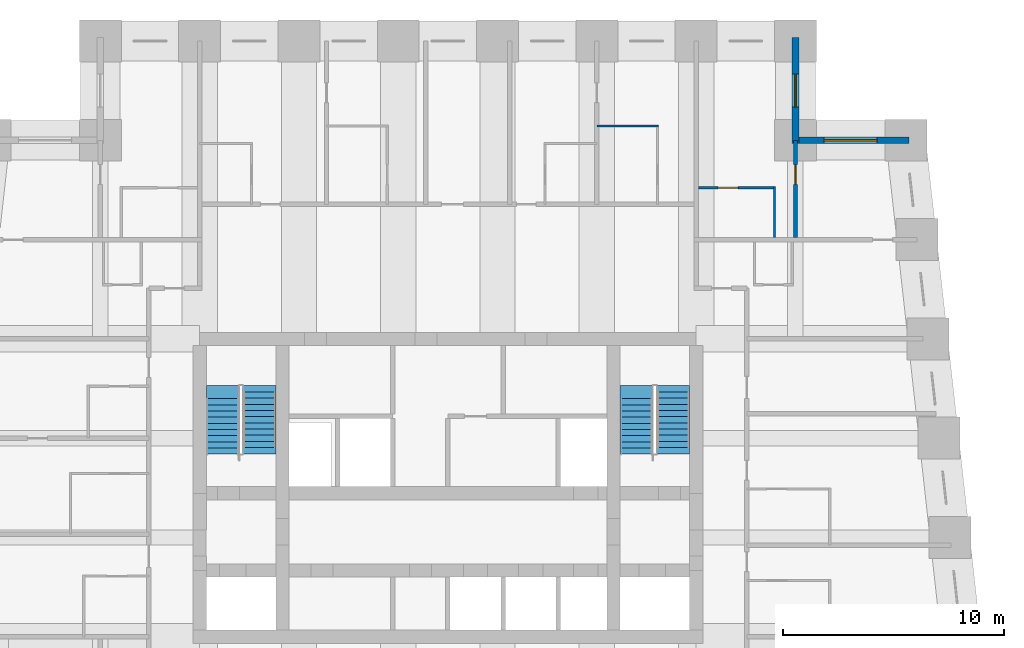
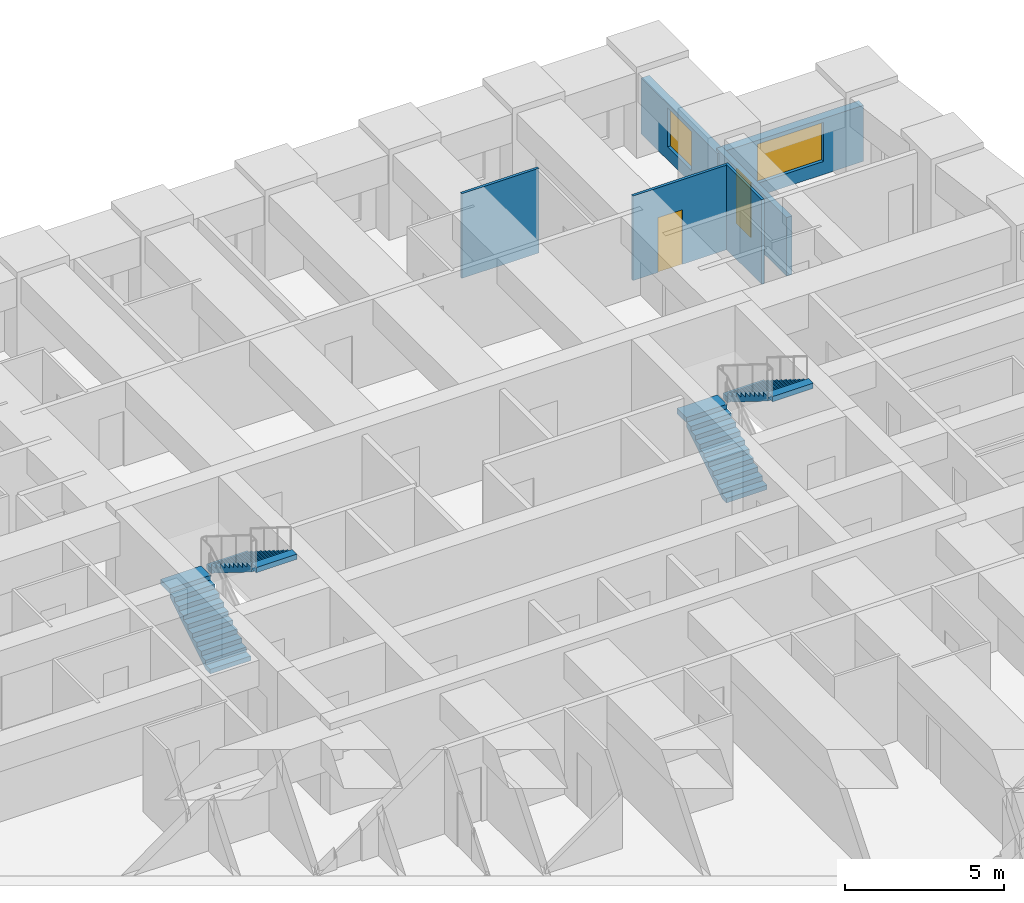
# One storey, part 7 of 8: 6 walls, 4 stair flights, 2 doors, 2 windows, 4 openings, 2 elements without a shape of their own.
"""IFC4 building model written with IfcOpenShell, lengths in metres."""

from ifc_helpers import new_model, si_unit, direction, frame, frame_2d, origin, place, context, subcontext, project, spatial, polyline, rectangle, outline, extrude, material, layer, layer_set, type_object, element, fill, aggregate, save


model = new_model("IFC4")

# Units and contexts
model_context = context("Model", 3, precision=1e-05, world=origin(), true_north=direction((0.0, 1.0)))
body_context = subcontext(model_context, "Body", "Model", "MODEL_VIEW")
ifc_project = project(units=[si_unit("LENGTHUNIT", "METRE"), si_unit("AREAUNIT", "SQUARE_METRE"), si_unit("VOLUMEUNIT", "CUBIC_METRE"), si_unit("PLANEANGLEUNIT", "RADIAN"), si_unit("MASSUNIT", "GRAM", prefix="KILO")], contexts=[model_context])

# Site, building, storey
site_placement = place(None, origin())
site = spatial("IfcSite", under=ifc_project, at=site_placement, CompositionType="ELEMENT")
building_placement = place(site_placement, origin())
building = spatial("IfcBuilding", under=site, at=building_placement, Name="Kilele Tower Hotel", CompositionType="ELEMENT")
storey_placement = place(building_placement, frame((0.0, 0.0, 114.39990234375)))
storey = spatial("IfcBuildingStorey", under=building, at=storey_placement, Name="L29", CompositionType="ELEMENT", Elevation=114.39990234375)

# Walls
ifc_material_1 = material(Name="Moisture-resistant board")
ifc_layer_1 = layer(ifc_material_1, 0.10009765625)
ifc_layer_set_1 = layer_set([ifc_layer_1], Name="Moisture-resistant board")
wall_type_1 = type_object("IfcWallType", Name="Bathroom partition 100", PredefinedType="PLUMBINGWALL", material=ifc_layer_set_1)
wall_1_placement = place(storey_placement, frame((31.5, 36.64990234375, 0.0), z_axis=(0.0, 0.0, 1.0), x_axis=(1.0, 0.0, 0.0)))
element("IfcWall", 1, at=wall_1_placement, inside=storey, type_object=wall_type_1, Name="Bathroom partition 100 L29", PredefinedType="PLUMBINGWALL", context=body_context, shape_type="SweptSolid", body=[
    extrude(rectangle(XDim=2.800048828125, YDim=0.10009765625, at=frame_2d((1.39990234375, 0.0))), origin(), (0.0, 0.0, 1.0), 3.25),
])
wall_2_placement = place(storey_placement, frame((39.550048828125, 31.60009765625, 0.0), z_axis=(0.0, 0.0, 1.0), x_axis=(0.0, 1.0, 0.0)))
element("IfcWall", 2, at=wall_2_placement, inside=storey, type_object=wall_type_1, Name="Bathroom partition 100 L29", PredefinedType="PLUMBINGWALL", context=body_context, shape_type="SweptSolid", body=[
    extrude(rectangle(XDim=2.2998046875, YDim=0.10009765625, at=frame_2d((1.14990234375, 0.0))), origin(), (0.0, 0.0, 1.0), 3.25),
])

# Wall, opening, door
wall_3_placement = place(storey_placement, frame((36.10009765625, 33.85009765625, 0.0), z_axis=(0.0, 0.0, 1.0), x_axis=(1.0, 0.0, 0.0)))
wall_3 = element("IfcWall", 3, at=wall_3_placement, inside=storey, type_object=wall_type_1, Name="Bathroom partition 100 L29", PredefinedType="PLUMBINGWALL", context=body_context, shape_type="SweptSolid", body=[
    extrude(rectangle(XDim=3.5, YDim=0.10009765625, at=frame_2d((1.75, 0.0))), origin(), (0.0, 0.0, 1.0), 3.25),
])
opening_1_placement = place(wall_3_placement, frame((0.89990234375, 0.0, 0.0)))
opening_1 = element("IfcOpeningElement", 4, at=opening_1_placement, cuts=wall_3, Name="Opening D2A", PredefinedType="OPENING", context=body_context, shape_type="SweptSolid", body=[
    extrude(rectangle(XDim=0.89990234375, YDim=2.10009765625, at=frame_2d((0.449951171875, 1.050048828125))), frame((0.0, 0.06005859375, 0.0), z_axis=(0.0, -1.0, 0.0), x_axis=(1.0, 0.0, 0.0)), (0.0, 0.0, 1.0), 0.1201171875),
])
ifc_material_2 = material(Name="Timber door leaf in hardwood frame", Category="wood")
door_type_1 = type_object("IfcDoorType", Name="Bathroom door 900", OperationType="SINGLE_SWING_LEFT", PredefinedType="DOOR", material=ifc_material_2)
door_1_placement = place(opening_1_placement, origin())
door_1 = element("IfcDoor", 5, at=door_1_placement, inside=storey, type_object=door_type_1, Name="Bathroom door 2924B", OperationType="SINGLE_SWING_LEFT", OverallHeight=2.10009765625, OverallWidth=0.89990234375, PredefinedType="DOOR", context=body_context, shape_type="SweptSolid", body=[
    extrude(rectangle(XDim=0.89990234375, YDim=2.10009765625, at=frame_2d((0.449951171875, 1.050048828125))), frame((0.0, 0.02490234375, 0.0), z_axis=(0.0, -1.0, 0.0), x_axis=(1.0, 0.0, 0.0)), (0.0, 0.0, 1.0), 0.050048828125),
])
fill(opening_1, door_1)

ifc_material_3 = material(Name="Blockwork, plastered both sides", Category="masonry")
ifc_layer_2 = layer(ifc_material_3, 0.199951171875)
ifc_layer_set_2 = layer_set([ifc_layer_2], Name="Blockwork, plastered both sides")
wall_type_2 = type_object("IfcWallType", Name="Partition wall 200", PredefinedType="PARTITIONING", material=ifc_layer_set_2)
wall_4_placement = place(storey_placement, frame((40.5, 31.60009765625, 0.0), z_axis=(0.0, 0.0, 1.0), x_axis=(0.0, 1.0, 0.0)))
wall_4 = element("IfcWall", 6, at=wall_4_placement, inside=storey, type_object=wall_type_2, Name="Partition wall 200 L29", PredefinedType="PARTITIONING", context=body_context, shape_type="SweptSolid", body=[
    extrude(rectangle(XDim=4.39990234375, YDim=0.199951171875, at=frame_2d((2.199951171875, 0.0))), origin(), (0.0, 0.0, 1.0), 2.25),
])
opening_2_placement = place(wall_4_placement, frame((2.39990234375, 0.0, 0.0)))
opening_2 = element("IfcOpeningElement", 7, at=opening_2_placement, cuts=wall_4, Name="Opening D3", PredefinedType="OPENING", context=body_context, shape_type="SweptSolid", body=[
    extrude(rectangle(XDim=0.89990234375, YDim=2.10009765625, at=frame_2d((0.449951171875, 1.050048828125))), frame((0.0, 0.10986328125, 0.0), z_axis=(0.0, -1.0, 0.0), x_axis=(1.0, 0.0, 0.0)), (0.0, 0.0, 1.0), 0.219970703125),
])
ifc_material_4 = material(Name="Timber door leaf in hardwood frame", Category="wood")
door_type_2 = type_object("IfcDoorType", Name="Suite internal door 900", OperationType="SINGLE_SWING_LEFT", PredefinedType="DOOR", material=ifc_material_4)
door_2_placement = place(opening_2_placement, origin())
door_2 = element("IfcDoor", 8, at=door_2_placement, inside=storey, type_object=door_type_2, Name="Suite door 2925", OperationType="SINGLE_SWING_LEFT", OverallHeight=2.10009765625, OverallWidth=0.89990234375, PredefinedType="DOOR", context=body_context, shape_type="SweptSolid", body=[
    extrude(rectangle(XDim=0.89990234375, YDim=2.10009765625, at=frame_2d((0.449951171875, 1.050048828125))), frame((0.0, 0.02490234375, 0.0), z_axis=(0.0, -1.0, 0.0), x_axis=(1.0, 0.0, 0.0)), (0.0, 0.0, 1.0), 0.050048828125),
])
fill(opening_2, door_2)

# Wall, opening, window
ifc_material_5 = material(Name="Concrete C40/50 precast", Category="concrete")
ifc_layer_3 = layer(ifc_material_5, 0.260009765625, Name="Precast backing", Category="LoadBearing")
ifc_material_6 = material(Name="Reconstituted stone finish", Category="masonry")
ifc_layer_4 = layer(ifc_material_6, 0.0400390625, Name="Face mix", Category="Finish")
ifc_layer_set_3 = layer_set([ifc_layer_3, ifc_layer_4], Name="Precast concrete C40/50, reconstituted stone finish")
wall_type_3 = type_object("IfcWallType", Name="Precast stone facade wall 300", PredefinedType="STANDARD", material=ifc_layer_set_3)
wall_5_placement = place(storey_placement, frame((45.64990234375, 36.0, 0.0), z_axis=(0.0, 0.0, 1.0), x_axis=(-1.0, 0.0, 0.0)))
wall_5 = element("IfcWall", 9, at=wall_5_placement, inside=storey, type_object=wall_type_3, Name="Facade wall L29 edge 7", PredefinedType="STANDARD", context=body_context, shape_type="SweptSolid", body=[
    extrude(rectangle(XDim=5.2998046875, YDim=0.300048828125, at=frame_2d((2.64990234375, 0.0))), origin(), (0.0, 0.0, 1.0), 2.150146484375),
])
opening_3_placement = place(wall_5_placement, frame((1.449951171875, 0.0, 0.5)))
opening_3 = element("IfcOpeningElement", 10, at=opening_3_placement, cuts=wall_5, Name="Opening W2", PredefinedType="OPENING", context=body_context, shape_type="SweptSolid", body=[
    extrude(rectangle(XDim=2.39990234375, YDim=1.5, at=frame_2d((1.199951171875, 0.75))), frame((0.0, 0.159912109375, 0.0), z_axis=(0.0, -1.0, 0.0), x_axis=(1.0, 0.0, 0.0)), (0.0, 0.0, 1.0), 0.320068359375),
])
ifc_material_7 = material(Name="Aluminium frame, clear double glazing", Category="aluminium")
window_type_1 = type_object("IfcWindowType", Name="Window W2 2400 x 1500", PartitioningType="SINGLE_PANEL", PredefinedType="WINDOW", material=ifc_material_7)
window_1_placement = place(opening_3_placement, origin())
window_1 = element("IfcWindow", 11, at=window_1_placement, inside=storey, type_object=window_type_1, Name="Window L29", OverallHeight=1.5, OverallWidth=2.39990234375, PartitioningType="SINGLE_PANEL", PredefinedType="WINDOW", context=body_context, shape_type="SweptSolid", body=[
    extrude(rectangle(XDim=2.39990234375, YDim=1.5, at=frame_2d((1.199951171875, 0.75))), frame((0.0, 0.030029296875, 0.0), z_axis=(0.0, -1.0, 0.0), x_axis=(1.0, 0.0, 0.0)), (0.0, 0.0, 1.0), 0.06005859375),
])
fill(opening_3, window_1)

wall_6_placement = place(storey_placement, frame((40.5, 35.85009765625, 0.0), z_axis=(0.0, 0.0, 1.0), x_axis=(0.0, 1.0, 0.0)))
wall_6 = element("IfcWall", 12, at=wall_6_placement, inside=storey, type_object=wall_type_3, Name="Facade wall L29 edge 8", PredefinedType="STANDARD", context=body_context, shape_type="SweptSolid", body=[
    extrude(rectangle(XDim=4.7998046875, YDim=0.300048828125, at=frame_2d((2.39990234375, 0.0))), origin(), (0.0, 0.0, 1.0), 2.150146484375),
])
opening_4_placement = place(wall_6_placement, frame((1.64990234375, 0.0, 0.5)))
opening_4 = element("IfcOpeningElement", 13, at=opening_4_placement, cuts=wall_6, Name="Opening W2", PredefinedType="OPENING", context=body_context, shape_type="SweptSolid", body=[
    extrude(rectangle(XDim=1.5, YDim=1.5, at=frame_2d((0.75, 0.75))), frame((0.0, 0.159912109375, 0.0), z_axis=(0.0, -1.0, 0.0), x_axis=(1.0, 0.0, 0.0)), (0.0, 0.0, 1.0), 0.320068359375),
])
ifc_material_8 = material(Name="Aluminium frame, clear double glazing", Category="aluminium")
window_type_2 = type_object("IfcWindowType", Name="Window W2 1500 x 1500", PartitioningType="SINGLE_PANEL", PredefinedType="WINDOW", material=ifc_material_8)
window_2_placement = place(opening_4_placement, origin())
window_2 = element("IfcWindow", 14, at=window_2_placement, inside=storey, type_object=window_type_2, Name="Window L29", OverallHeight=1.5, OverallWidth=1.5, PartitioningType="SINGLE_PANEL", PredefinedType="WINDOW", context=body_context, shape_type="SweptSolid", body=[
    extrude(rectangle(XDim=1.5, YDim=1.5, at=frame_2d((0.75, 0.75))), frame((0.0, 0.030029296875, 0.0), z_axis=(0.0, -1.0, 0.0), x_axis=(1.0, 0.0, 0.0)), (0.0, 0.0, 1.0), 0.06005859375),
])
fill(opening_4, window_2)

# Stair, stair flights
ifc_material_9 = material(Name="Precast concrete C40/50", Category="concrete")
stair_type = type_object("IfcStairType", Name="Stair 1475 x 3500", PredefinedType="HALF_TURN_STAIR", material=ifc_material_9)
stair_1_placement = place(storey_placement, origin())
stair_1 = element("IfcStair", 15, at=stair_1_placement, inside=storey, type_object=stair_type, Name="Stair 1 L29", PredefinedType="HALF_TURN_STAIR")
ifc_material_10 = material(Name="Precast concrete C40/50", Category="concrete")
stair_flight_type = type_object("IfcStairFlightType", Name="Flight 1475 riser 175.0", PredefinedType="STRAIGHT", material=ifc_material_10)
stair_flight_1_placement = place(storey_placement, frame((14.53759765625, 21.77490234375, 0.0), z_axis=(0.0, 0.0, 1.0), x_axis=(0.0, 1.0, 0.0)))
stair_flight_1 = element("IfcStairFlight", 16, at=stair_flight_1_placement, type_object=stair_flight_type, Name="ST1 flight 1", NumberOfRisers=10, NumberOfTreads=9, PredefinedType="STRAIGHT", RiserHeight=0.175, TreadLength=0.28, context=body_context, shape_type="SweptSolid", body=[
    extrude(outline(polyline([(0.0, 0.0), (0.0, 0.175048828125), (0.280029296875, 0.175048828125), (0.280029296875, 0.35009765625), (0.56005859375, 0.35009765625), (0.56005859375, 0.52490234375), (0.840087890625, 0.52490234375), (0.840087890625, 0.699951171875), (1.1201171875, 0.699951171875), (1.1201171875, 0.875), (1.39990234375, 0.875), (1.39990234375, 1.050048828125), (1.679931640625, 1.050048828125), (1.679931640625, 1.22509765625), (1.9599609375, 1.22509765625), (1.9599609375, 1.39990234375), (2.239990234375, 1.39990234375), (2.239990234375, 1.574951171875), (2.52001953125, 1.574951171875), (2.52001953125, 1.75), (2.52001953125, 1.398193359375), (0.28271484375, 0.0), (0.0, 0.0)])), frame((0.0, 0.737548828125, 0.0), z_axis=(0.0, -1.0, 0.0), x_axis=(1.0, 0.0, 0.0)), (0.0, 0.0, 1.0), 1.47509765625),
    extrude(outline(polyline([(2.52001953125, 0.737548828125), (2.52001953125, -0.7373046875), (3.1201171875, -0.7373046875), (3.1201171875, 0.737548828125), (2.52001953125, 0.737548828125)])), frame((0.0, 0.0, 1.550048828125)), (0.0, 0.0, 1.0), 0.199951171875),
])
stair_flight_2_placement = place(storey_placement, frame((16.21240234375, 24.594970703125, 1.75), z_axis=(0.0, 0.0, 1.0), x_axis=(0.0, -1.0, 0.0)))
stair_flight_2 = element("IfcStairFlight", 17, at=stair_flight_2_placement, type_object=stair_flight_type, Name="ST1 flight 2", NumberOfRisers=10, NumberOfTreads=9, PredefinedType="STRAIGHT", RiserHeight=0.175, TreadLength=0.28, context=body_context, shape_type="SweptSolid", body=[
    extrude(outline(polyline([(0.0, 0.0), (0.0, 0.175048828125), (0.280029296875, 0.175048828125), (0.280029296875, 0.35009765625), (0.56005859375, 0.35009765625), (0.56005859375, 0.52490234375), (0.840087890625, 0.52490234375), (0.840087890625, 0.699951171875), (1.1201171875, 0.699951171875), (1.1201171875, 0.875), (1.39990234375, 0.875), (1.39990234375, 1.050048828125), (1.679931640625, 1.050048828125), (1.679931640625, 1.22509765625), (1.9599609375, 1.22509765625), (1.9599609375, 1.39990234375), (2.239990234375, 1.39990234375), (2.239990234375, 1.574951171875), (2.52001953125, 1.574951171875), (2.52001953125, 1.75), (2.52001953125, 1.398193359375), (0.28271484375, 0.0), (0.0, 0.0)])), frame((0.0, 0.737548828125, 0.0), z_axis=(0.0, -1.0, 0.0), x_axis=(1.0, 0.0, 0.0)), (0.0, 0.0, 1.0), 1.47509765625),
    extrude(outline(polyline([(0.0, -0.7373046875), (0.0, 0.737548828125), (-0.300048828125, 0.737548828125), (-0.300048828125, -0.7373046875), (0.0, -0.7373046875)])), frame((0.0, 0.0, -0.199951171875)), (0.0, 0.0, 1.0), 0.199951171875),
    extrude(outline(polyline([(2.820068359375, -0.7373046875), (2.820068359375, 0.737548828125), (2.52001953125, 0.737548828125), (2.52001953125, -0.7373046875), (2.820068359375, -0.7373046875)])), frame((0.0, 0.0, 1.550048828125)), (0.0, 0.0, 1.0), 0.199951171875),
])
aggregate(stair_1, [stair_flight_1, stair_flight_2])

stair_2_placement = place(storey_placement, origin())
stair_2 = element("IfcStair", 18, at=stair_2_placement, inside=storey, type_object=stair_type, Name="Stair 2 L29", PredefinedType="HALF_TURN_STAIR")
stair_flight_3_placement = place(storey_placement, frame((33.28759765625, 21.77490234375, 0.0), z_axis=(0.0, 0.0, 1.0), x_axis=(0.0, 1.0, 0.0)))
stair_flight_3 = element("IfcStairFlight", 19, at=stair_flight_3_placement, type_object=stair_flight_type, Name="ST2 flight 1", NumberOfRisers=10, NumberOfTreads=9, PredefinedType="STRAIGHT", RiserHeight=0.175, TreadLength=0.28, context=body_context, shape_type="SweptSolid", body=[
    extrude(outline(polyline([(0.0, 0.0), (0.0, 0.175048828125), (0.280029296875, 0.175048828125), (0.280029296875, 0.35009765625), (0.56005859375, 0.35009765625), (0.56005859375, 0.52490234375), (0.840087890625, 0.52490234375), (0.840087890625, 0.699951171875), (1.1201171875, 0.699951171875), (1.1201171875, 0.875), (1.39990234375, 0.875), (1.39990234375, 1.050048828125), (1.679931640625, 1.050048828125), (1.679931640625, 1.22509765625), (1.9599609375, 1.22509765625), (1.9599609375, 1.39990234375), (2.239990234375, 1.39990234375), (2.239990234375, 1.574951171875), (2.52001953125, 1.574951171875), (2.52001953125, 1.75), (2.52001953125, 1.398193359375), (0.28271484375, 0.0), (0.0, 0.0)])), frame((0.0, 0.737548828125, 0.0), z_axis=(0.0, -1.0, 0.0), x_axis=(1.0, 0.0, 0.0)), (0.0, 0.0, 1.0), 1.47509765625),
    extrude(outline(polyline([(2.52001953125, 0.737548828125), (2.52001953125, -0.7373046875), (3.1201171875, -0.7373046875), (3.1201171875, 0.737548828125), (2.52001953125, 0.737548828125)])), frame((0.0, 0.0, 1.550048828125)), (0.0, 0.0, 1.0), 0.199951171875),
])
stair_flight_4_placement = place(storey_placement, frame((34.96240234375, 24.594970703125, 1.75), z_axis=(0.0, 0.0, 1.0), x_axis=(0.0, -1.0, 0.0)))
stair_flight_4 = element("IfcStairFlight", 20, at=stair_flight_4_placement, type_object=stair_flight_type, Name="ST2 flight 2", NumberOfRisers=10, NumberOfTreads=9, PredefinedType="STRAIGHT", RiserHeight=0.175, TreadLength=0.28, context=body_context, shape_type="SweptSolid", body=[
    extrude(outline(polyline([(0.0, 0.0), (0.0, 0.175048828125), (0.280029296875, 0.175048828125), (0.280029296875, 0.35009765625), (0.56005859375, 0.35009765625), (0.56005859375, 0.52490234375), (0.840087890625, 0.52490234375), (0.840087890625, 0.699951171875), (1.1201171875, 0.699951171875), (1.1201171875, 0.875), (1.39990234375, 0.875), (1.39990234375, 1.050048828125), (1.679931640625, 1.050048828125), (1.679931640625, 1.22509765625), (1.9599609375, 1.22509765625), (1.9599609375, 1.39990234375), (2.239990234375, 1.39990234375), (2.239990234375, 1.574951171875), (2.52001953125, 1.574951171875), (2.52001953125, 1.75), (2.52001953125, 1.398193359375), (0.28271484375, 0.0), (0.0, 0.0)])), frame((0.0, 0.737548828125, 0.0), z_axis=(0.0, -1.0, 0.0), x_axis=(1.0, 0.0, 0.0)), (0.0, 0.0, 1.0), 1.47509765625),
    extrude(outline(polyline([(0.0, -0.7373046875), (0.0, 0.737548828125), (-0.300048828125, 0.737548828125), (-0.300048828125, -0.7373046875), (0.0, -0.7373046875)])), frame((0.0, 0.0, -0.199951171875)), (0.0, 0.0, 1.0), 0.199951171875),
    extrude(outline(polyline([(2.820068359375, -0.7373046875), (2.820068359375, 0.737548828125), (2.52001953125, 0.737548828125), (2.52001953125, -0.7373046875), (2.820068359375, -0.7373046875)])), frame((0.0, 0.0, 1.550048828125)), (0.0, 0.0, 1.0), 0.199951171875),
])
aggregate(stair_2, [stair_flight_3, stair_flight_4])

save(model, "model.ifc")
